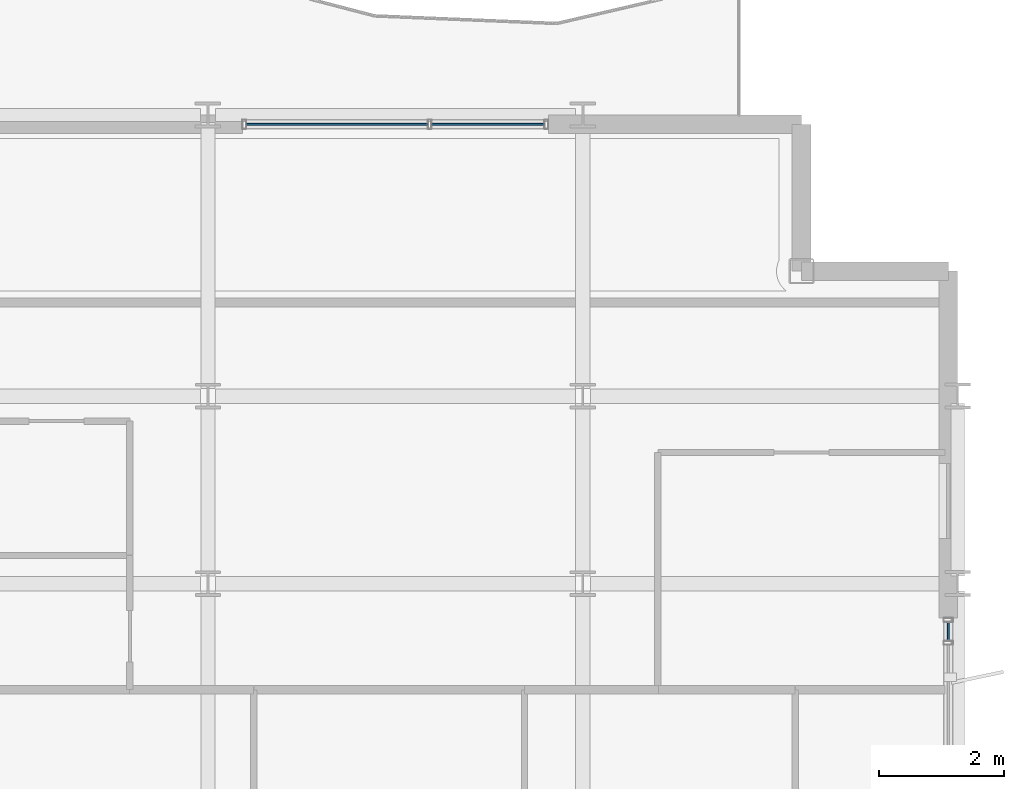
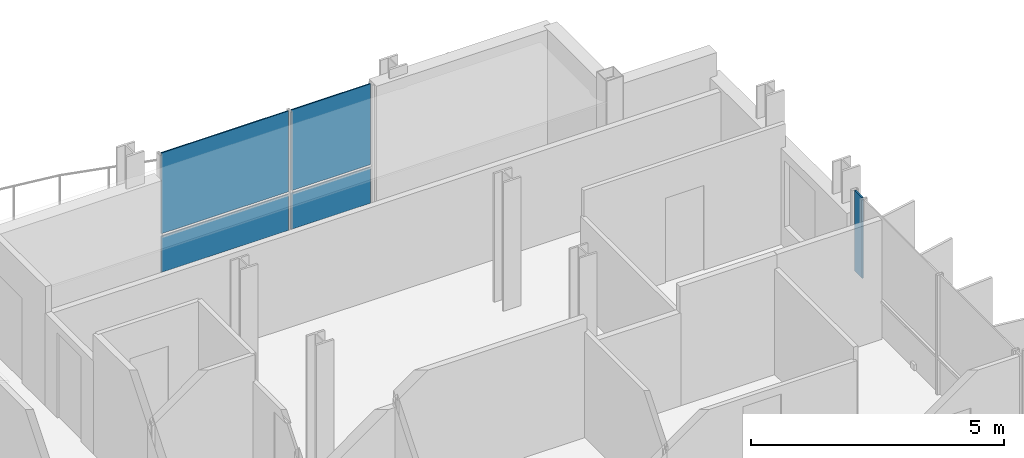
# One storey, part 26 of 38: 5 plates, 2 elements without a shape of their own.
"""IFC4 building model written with IfcOpenShell, lengths in metres."""

from ifc_helpers import new_model, si_unit, direction, frame, origin, origin_2d, place, context, subcontext, project, spatial, rectangle, extrude, material, layer, layer_set, type_object, element, aggregate, save


model = new_model("IFC4")

# Units and contexts
model_context = context("Model", 3, precision=1e-05, world=origin(), true_north=direction((0.0, 1.0)))
body_context = subcontext(model_context, "Body", "Model", "MODEL_VIEW")
ifc_project = project(units=[si_unit("LENGTHUNIT", "METRE"), si_unit("AREAUNIT", "SQUARE_METRE"), si_unit("VOLUMEUNIT", "CUBIC_METRE"), si_unit("PLANEANGLEUNIT", "RADIAN"), si_unit("MASSUNIT", "GRAM", prefix="KILO")], contexts=[model_context])

# Site, building, storey
site_placement = place(None, origin())
site = spatial("IfcSite", under=ifc_project, at=site_placement, CompositionType="ELEMENT")
building_placement = place(site_placement, origin())
building = spatial("IfcBuilding", under=site, at=building_placement, Name="Brevholm Reach", CompositionType="ELEMENT")
storey_placement = place(building_placement, frame((0.0, 0.0, 166.60009765625)))
storey = spatial("IfcBuildingStorey", under=building, at=storey_placement, Name="L50", CompositionType="ELEMENT", Elevation=166.60009765625)

# Curtain wall, plate
ifc_material_1 = material(Name="Dark Anodised Aluminium 6063-T6 and Solar-Control Glass", Category="aluminium")
ifc_layer_1 = layer(ifc_material_1, 0.14990234375)
ifc_layer_set_1 = layer_set([ifc_layer_1], Name="Dark Anodised Aluminium 6063-T6 and Solar-Control Glass")
curtain_wall_type = type_object("IfcCurtainWallType", Name="CW-01", PredefinedType="NOTDEFINED", material=ifc_layer_set_1)
curtain_wall_1_placement = place(storey_placement, origin())
curtain_wall_1 = element("IfcCurtainWall", 1, at=curtain_wall_1_placement, inside=storey, type_object=curtain_wall_type, Name="L50 Curtain Wall CW-01", PredefinedType="NOTDEFINED")
ifc_material_2 = material(Name="Dark Solar-Control Double-Glazed IGU Glass", Category="glass")
ifc_layer_2 = layer(ifc_material_2, 0.028076171875)
ifc_layer_set_2 = layer_set([ifc_layer_2], Name="Dark Solar-Control Double-Glazed IGU Glass")
plate_type = type_object("IfcPlateType", Name="CWP-GLZ-28", PredefinedType="CURTAIN_PANEL", material=ifc_layer_set_2)
plate_1_placement = place(storey_placement, frame((59.85009765625, 22.733642578125, 0.9326171875), z_axis=(0.0, 0.0, 1.0), x_axis=(0.0, 1.0, 0.0)))
plate_1 = element("IfcPlate", 2, at=plate_1_placement, type_object=plate_type, Name="CP-01 Glazing Panel 5.2", PredefinedType="CURTAIN_PANEL", context=body_context, shape_type="SweptSolid", body=[
    extrude(rectangle(XDim=0.302490234375, YDim=0.028076171875, at=origin_2d()), origin(), (0.0, 0.0, 1.0), 1.947509765625),
])
aggregate(curtain_wall_1, [plate_1])

# Curtain wall, plates
curtain_wall_2_placement = place(storey_placement, origin())
curtain_wall_2 = element("IfcCurtainWall", 3, at=curtain_wall_2_placement, inside=storey, type_object=curtain_wall_type, Name="L50 Curtain Wall CW-01", PredefinedType="NOTDEFINED")
plate_2_placement = place(storey_placement, frame((50.066162109375, 30.85009765625, 0.0), z_axis=(0.0, 0.0, 1.0), x_axis=(1.0, 0.0, 0.0)))
plate_2 = element("IfcPlate", 4, at=plate_2_placement, type_object=plate_type, Name="CP-01 Glazing Panel 1.1", PredefinedType="CURTAIN_PANEL", context=body_context, shape_type="SweptSolid", body=[
    extrude(rectangle(XDim=2.902587890625, YDim=0.028076171875, at=origin_2d()), origin(), (0.0, 0.0, 1.0), 0.867431640625),
])
plate_3_placement = place(storey_placement, frame((50.066162109375, 30.85009765625, 0.9326171875), z_axis=(0.0, 0.0, 1.0), x_axis=(1.0, 0.0, 0.0)))
plate_3 = element("IfcPlate", 5, at=plate_3_placement, type_object=plate_type, Name="CP-01 Glazing Panel 1.2", PredefinedType="CURTAIN_PANEL", context=body_context, shape_type="SweptSolid", body=[
    extrude(rectangle(XDim=2.902587890625, YDim=0.028076171875, at=origin_2d()), origin(), (0.0, 0.0, 1.0), 1.947509765625),
])
plate_4_placement = place(storey_placement, frame((52.483642578125, 30.85009765625, 0.0), z_axis=(0.0, 0.0, 1.0), x_axis=(1.0, 0.0, 0.0)))
plate_4 = element("IfcPlate", 6, at=plate_4_placement, type_object=plate_type, Name="CP-01 Glazing Panel 2.1", PredefinedType="CURTAIN_PANEL", context=body_context, shape_type="SweptSolid", body=[
    extrude(rectangle(XDim=1.802490234375, YDim=0.028076171875, at=origin_2d()), origin(), (0.0, 0.0, 1.0), 0.867431640625),
])
plate_5_placement = place(storey_placement, frame((52.483642578125, 30.85009765625, 0.9326171875), z_axis=(0.0, 0.0, 1.0), x_axis=(1.0, 0.0, 0.0)))
plate_5 = element("IfcPlate", 7, at=plate_5_placement, type_object=plate_type, Name="CP-01 Glazing Panel 2.2", PredefinedType="CURTAIN_PANEL", context=body_context, shape_type="SweptSolid", body=[
    extrude(rectangle(XDim=1.802490234375, YDim=0.028076171875, at=origin_2d()), origin(), (0.0, 0.0, 1.0), 1.947509765625),
])
aggregate(curtain_wall_2, [plate_2, plate_3, plate_4, plate_5])

save(model, "model.ifc")
